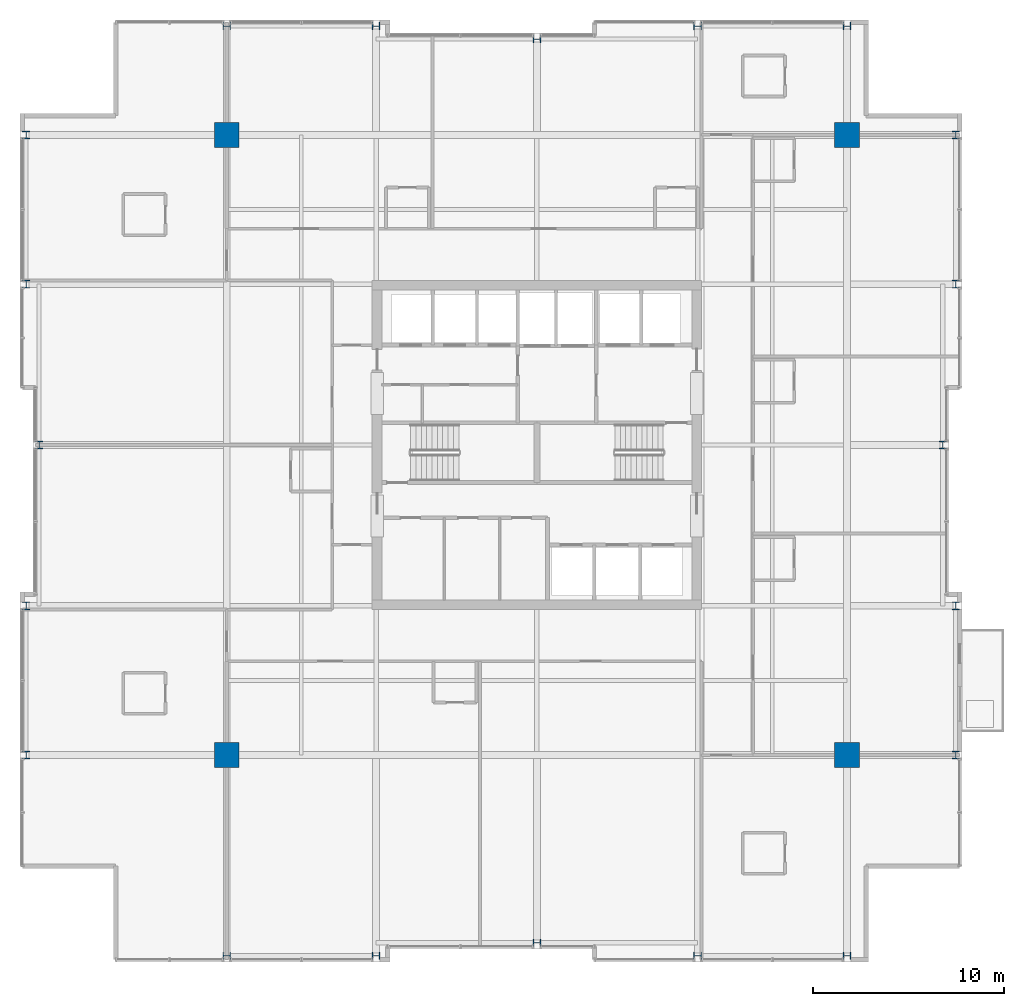
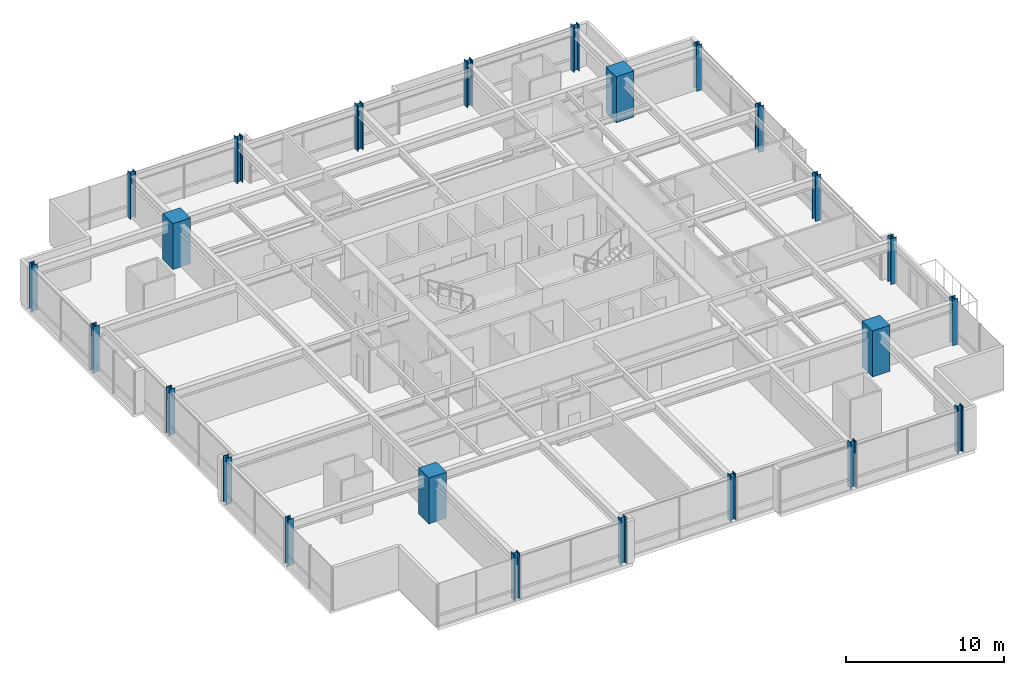
# One storey, part 1 of 32: 24 columns.
"""IFC4 building model written with IfcOpenShell, lengths in metres."""

from ifc_helpers import new_model, si_unit, direction, frame, origin, origin_2d, place, context, subcontext, project, spatial, rectangle, i_section, extrude, material, material_profile, profile_set, type_object, element, save


model = new_model("IFC4")

# Units and contexts
model_context = context("Model", 3, precision=1e-05, world=origin(), true_north=direction((0.0, 1.0)))
body_context = subcontext(model_context, "Body", "Model", "MODEL_VIEW")
ifc_project = project(units=[si_unit("LENGTHUNIT", "METRE"), si_unit("AREAUNIT", "SQUARE_METRE"), si_unit("VOLUMEUNIT", "CUBIC_METRE"), si_unit("PLANEANGLEUNIT", "RADIAN"), si_unit("MASSUNIT", "GRAM", prefix="KILO")], contexts=[model_context])

# Site, building, storey
site_placement = place(None, origin())
site = spatial("IfcSite", under=ifc_project, at=site_placement, CompositionType="ELEMENT")
building_placement = place(site_placement, origin())
building = spatial("IfcBuilding", under=site, at=building_placement, Name="Drelvath Grand Hotel", CompositionType="ELEMENT")
storey_placement = place(building_placement, frame((0.0, 0.0, 164.60009765625)))
storey = spatial("IfcBuildingStorey", under=building, at=storey_placement, Name="L42", CompositionType="ELEMENT", Elevation=164.60009765625)

# Columns
ifc_material_1 = material(Name="Concrete f'c 55 MPa", Category="concrete")
ifc_material_profile_1 = material_profile(ifc_material_1, rectangle(XDim=1.300048828125, YDim=1.300048828125, at=origin_2d()), Name="MC1300X1300")
ifc_profile_set_1 = profile_set([ifc_material_profile_1], Name="Concrete f'c 55 MPa")
column_type_1 = type_object("IfcColumnType", Name="Composite Mega Column MC1300X1300", PredefinedType="COLUMN", material=ifc_profile_set_1)
for number, where, z_axis, x_axis, name in (
    (1, (-16.199951171875, 10.800048828125, 0.0), (0.0, 0.0, 1.0), (1.0, 0.0, 0.0), "L42 Composite Mega Column MC-SW"),
    (2, (16.199951171875, 10.800048828125, 0.0), (0.0, 0.0, 1.0), (1.0, 0.0, 0.0), "L42 Composite Mega Column MC-SE"),
    (3, (-16.199951171875, 43.199951171875, 0.0), (0.0, 0.0, 1.0), (1.0, 0.0, 0.0), "L42 Composite Mega Column MC-NW"),
    (4, (16.199951171875, 43.199951171875, 0.0), (0.0, 0.0, 1.0), (1.0, 0.0, 0.0), "L42 Composite Mega Column MC-NE"),
):
    element("IfcColumn", number, at=place(storey_placement, frame(where, z_axis=z_axis, x_axis=x_axis)), inside=storey, type_object=column_type_1, Name=name, PredefinedType="COLUMN", context=body_context, shape_type="SweptSolid", body=[
        extrude(rectangle(XDim=1.300048828125, YDim=1.300048828125, at=origin_2d()), origin(), (0.0, 0.0, 1.0), 3.5498046875),
    ])
ifc_material_2 = material(Name="Steel ASTM A913 Gr 65", Category="steel")
ifc_material_profile_2 = material_profile(ifc_material_2, i_section(OverallWidth=0.40625, OverallDepth=0.416015625, WebThickness=0.02978515625, FlangeThickness=0.048095703125, FilletRadius=0.028076171875, at=origin_2d()), Name="W14X257")
ifc_profile_set_2 = profile_set([ifc_material_profile_2], Name="Steel ASTM A913 Gr 65")
column_type_2 = type_object("IfcColumnType", Name="Perimeter Steel Column W14X257", PredefinedType="COLUMN", material=ifc_profile_set_2)
for number, where, z_axis, x_axis, name in (
    (5, (-26.679931640625, 10.800048828125, 0.0), (0.0, 0.0, 1.0), (1.0, 0.0, 0.0), "L42 Structural Column TCW-C"),
    (6, (21.8798828125, 10.800048828125, 0.0), (0.0, 0.0, 1.0), (1.0, 0.0, 0.0), "L42 Structural Column TCE-C"),
    (7, (-26.679931640625, 18.60009765625, 0.0), (0.0, 0.0, 1.0), (1.0, 0.0, 0.0), "L42 Structural Column TCW-D"),
    (8, (21.8798828125, 18.60009765625, 0.0), (0.0, 0.0, 1.0), (1.0, 0.0, 0.0), "L42 Structural Column TCE-D"),
    (9, (-26.0, 27.0, 0.0), (0.0, 0.0, 1.0), (1.0, 0.0, 0.0), "L42 Structural Column TCW-E"),
    (10, (21.199951171875, 27.0, 0.0), (0.0, 0.0, 1.0), (1.0, 0.0, 0.0), "L42 Structural Column TCE-E"),
    (11, (-26.679931640625, 35.39990234375, 0.0), (0.0, 0.0, 1.0), (1.0, 0.0, 0.0), "L42 Structural Column TCW-F"),
    (12, (21.8798828125, 35.39990234375, 0.0), (0.0, 0.0, 1.0), (1.0, 0.0, 0.0), "L42 Structural Column TCE-F"),
    (13, (-26.679931640625, 43.199951171875, 0.0), (0.0, 0.0, 1.0), (1.0, 0.0, 0.0), "L42 Structural Column TCW-G"),
    (14, (21.8798828125, 43.199951171875, 0.0), (0.0, 0.0, 1.0), (1.0, 0.0, 0.0), "L42 Structural Column TCE-G"),
    (15, (-16.199951171875, 0.320068359375, 0.0), (0.0, 0.0, 1.0), (0.0, 1.0, 0.0), "L42 Structural Column TCS-3"),
    (16, (-16.199951171875, 48.8798828125, 0.0), (0.0, 0.0, 1.0), (0.0, 1.0, 0.0), "L42 Structural Column TCN-3"),
    (17, (-8.39990234375, 0.320068359375, 0.0), (0.0, 0.0, 1.0), (0.0, 1.0, 0.0), "L42 Structural Column TCS-4"),
    (18, (-8.39990234375, 48.8798828125, 0.0), (0.0, 0.0, 1.0), (0.0, 1.0, 0.0), "L42 Structural Column TCN-4"),
    (19, (0.0, 1.0, 0.0), (0.0, 0.0, 1.0), (0.0, 1.0, 0.0), "L42 Structural Column TCS-5"),
    (20, (0.0, 48.199951171875, 0.0), (0.0, 0.0, 1.0), (0.0, 1.0, 0.0), "L42 Structural Column TCN-5"),
    (21, (8.39990234375, 0.320068359375, 0.0), (0.0, 0.0, 1.0), (0.0, 1.0, 0.0), "L42 Structural Column TCS-6"),
    (22, (8.39990234375, 48.8798828125, 0.0), (0.0, 0.0, 1.0), (0.0, 1.0, 0.0), "L42 Structural Column TCN-6"),
    (23, (16.199951171875, 0.320068359375, 0.0), (0.0, 0.0, 1.0), (0.0, 1.0, 0.0), "L42 Structural Column TCS-7"),
    (24, (16.199951171875, 48.8798828125, 0.0), (0.0, 0.0, 1.0), (0.0, 1.0, 0.0), "L42 Structural Column TCN-7"),
):
    element("IfcColumn", number, at=place(storey_placement, frame(where, z_axis=z_axis, x_axis=x_axis)), inside=storey, type_object=column_type_2, Name=name, PredefinedType="COLUMN", context=body_context, shape_type="SweptSolid", body=[
        extrude(i_section(OverallWidth=0.40625, OverallDepth=0.416015625, WebThickness=0.02978515625, FlangeThickness=0.048095703125, FilletRadius=0.028076171875, at=origin_2d()), origin(), (0.0, 0.0, 1.0), 3.546875),
    ])

save(model, "model.ifc")
